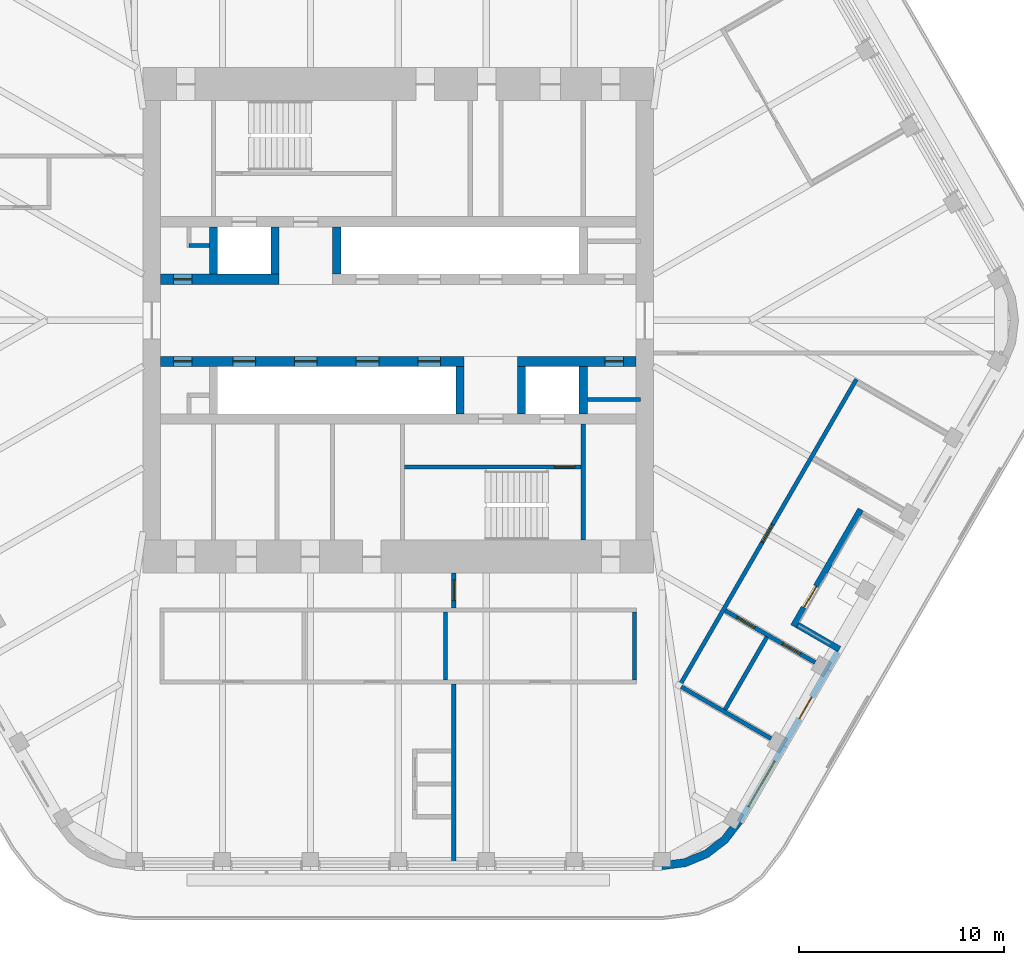
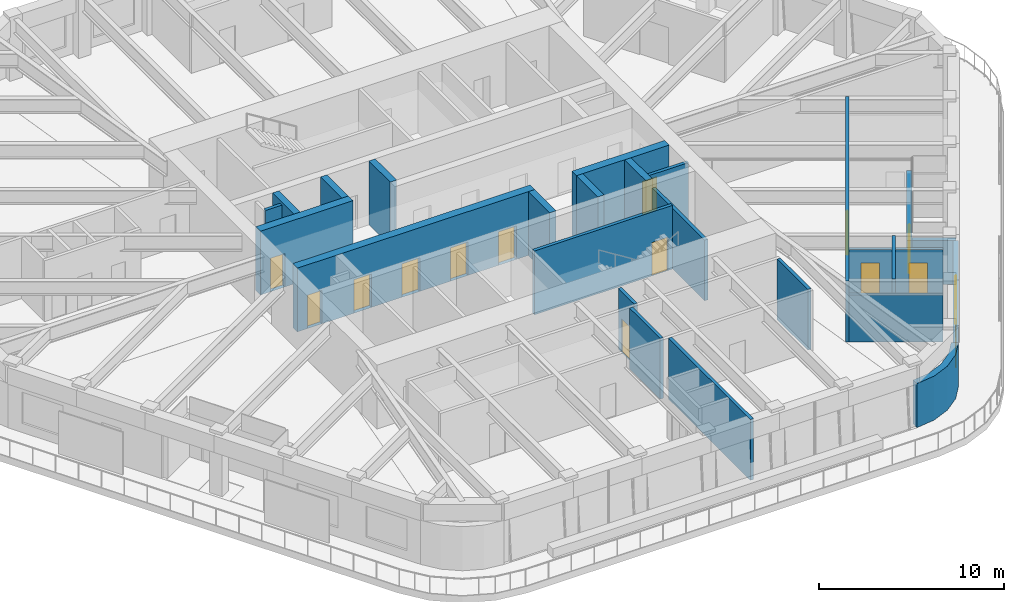
# One storey, part 14 of 20: 25 walls, 14 doors, 1 window, 15 openings.
"""IFC4 building model written with IfcOpenShell, lengths in metres."""

from ifc_helpers import new_model, si_unit, direction, frame, frame_2d, origin, place, context, subcontext, project, spatial, polyline, rectangle, outline, extrude, material, layer, layer_set, type_object, element, fill, save


model = new_model("IFC4")

# Units and contexts
model_context = context("Model", 3, precision=1e-05, world=origin(), true_north=direction((0.0, 1.0)))
body_context = subcontext(model_context, "Body", "Model", "MODEL_VIEW")
ifc_project = project(units=[si_unit("LENGTHUNIT", "METRE"), si_unit("AREAUNIT", "SQUARE_METRE"), si_unit("VOLUMEUNIT", "CUBIC_METRE"), si_unit("PLANEANGLEUNIT", "RADIAN"), si_unit("MASSUNIT", "GRAM", prefix="KILO")], contexts=[model_context])

# Site, building, storey
site_placement = place(None, origin())
site = spatial("IfcSite", under=ifc_project, at=site_placement, CompositionType="ELEMENT")
building_placement = place(site_placement, origin())
building = spatial("IfcBuilding", under=site, at=building_placement, Name="Tarfa Lantern Tower", CompositionType="ELEMENT")
storey_placement = place(building_placement, frame((0.0, 0.0, 378.699951171875)))
storey = spatial("IfcBuildingStorey", under=building, at=storey_placement, Name="L86", CompositionType="ELEMENT", Elevation=378.699951171875)

# Wall, openings, door, window
ifc_material_1 = material(Name="Limestone cladding on blockwork", Category="masonry")
ifc_layer_1 = layer(ifc_material_1, 0.300048828125)
ifc_layer_set_1 = layer_set([ifc_layer_1], Name="EW1 STONE-CLAD WALL 300")
wall_type_1 = type_object("IfcWallType", Name="EW1 STONE-CLAD WALL 300", PredefinedType="SOLIDWALL", material=ifc_layer_set_1)
wall_1_placement = place(storey_placement, frame((16.61328125, -24.425048828125, 0.0), z_axis=(0.0, 0.0, 1.0), x_axis=(0.499996453679, 0.866027451244, 0.0)))
wall_1 = element("IfcWall", 1, at=wall_1_placement, inside=storey, type_object=wall_type_1, Name="Stone wall SE", PredefinedType="SOLIDWALL", context=body_context, shape_type="SweptSolid", body=[
    extrude(rectangle(XDim=9.56396484375, YDim=0.300048828125, at=frame_2d((4.781982421875, 0.0))), origin(), (0.0, 0.0, 1.0), 2.900146484375),
])
opening_1_placement = place(wall_1_placement, frame((0.865966796875, 0.0, 0.60009765625)))
opening_1 = element("IfcOpeningElement", 2, at=opening_1_placement, cuts=wall_1, Name="Opening W17", PredefinedType="OPENING", context=body_context, shape_type="SweptSolid", body=[
    extrude(rectangle(XDim=2.550048828125, YDim=2.050048828125, at=frame_2d((1.27490234375, 1.02490234375))), frame((0.0, 0.159912109375, 0.0), z_axis=(0.0, -1.0, 0.0), x_axis=(1.0, 0.0, 0.0)), (0.0, 0.0, 1.0), 0.320068359375),
])
opening_2_placement = place(wall_1_placement, frame((5.822998046875, 0.0, 0.0)))
opening_2 = element("IfcOpeningElement", 3, at=opening_2_placement, cuts=wall_1, Name="Opening D41", PredefinedType="OPENING", context=body_context, shape_type="SweptSolid", body=[
    extrude(rectangle(XDim=1.199951171875, YDim=2.39990234375, at=frame_2d((0.60009765625, 1.199951171875))), frame((0.0, 0.159912109375, 0.0), z_axis=(0.0, -1.0, 0.0), x_axis=(1.0, 0.0, 0.0)), (0.0, 0.0, 1.0), 0.320068359375),
])
ifc_material_2 = material(Name="Aluminium framed glazed door", Category="aluminium")
door_type_1 = type_object("IfcDoorType", Name="BE3 BALCONY DOOR 1200x2400", OperationType="SINGLE_SWING_RIGHT", PredefinedType="DOOR", material=ifc_material_2)
door_1_placement = place(opening_2_placement, origin())
door_1 = element("IfcDoor", 4, at=door_1_placement, inside=storey, type_object=door_type_1, Name="Balcony door SE", OperationType="SINGLE_SWING_LEFT", OverallHeight=2.39990234375, OverallWidth=1.199951171875, PredefinedType="DOOR", context=body_context, shape_type="SweptSolid", body=[
    extrude(rectangle(XDim=1.199951171875, YDim=2.39990234375, at=frame_2d((0.60009765625, 1.199951171875))), frame((0.0, 0.02490234375, 0.0), z_axis=(0.0, -1.0, 0.0), x_axis=(1.0, 0.0, 0.0)), (0.0, 0.0, 1.0), 0.050048828125),
])
fill(opening_2, door_1)
ifc_material_3 = material(Name="Aluminium frame, double glazed", Category="aluminium")
window_type = type_object("IfcWindowType", Name="W17 FULL-HEIGHT GLAZING 2550x2050", PartitioningType="SINGLE_PANEL", PredefinedType="WINDOW", material=ifc_material_3)
window_placement = place(opening_1_placement, origin())
window = element("IfcWindow", 5, at=window_placement, inside=storey, type_object=window_type, Name="Window SE 1", OverallHeight=2.050048828125, OverallWidth=2.550048828125, PartitioningType="SINGLE_PANEL", PredefinedType="WINDOW", context=body_context, shape_type="SweptSolid", body=[
    extrude(rectangle(XDim=2.550048828125, YDim=2.050048828125, at=frame_2d((1.27490234375, 1.02490234375))), frame((0.0, 0.030029296875, 0.0), z_axis=(0.0, -1.0, 0.0), x_axis=(1.0, 0.0, 0.0)), (0.0, 0.0, 1.0), 0.06005859375),
])
fill(opening_1, window)

# Wall
wall_2_placement = place(storey_placement, frame((21.47021484375, -16.012451171875, 0.0), z_axis=(0.0, 0.0, 1.0), x_axis=(-0.866016039709, 0.500016218704, 0.0)))
element("IfcWall", 6, at=wall_2_placement, inside=storey, type_object=wall_type_1, Name="Terrace return SE 1", PredefinedType="SOLIDWALL", context=body_context, shape_type="SweptSolid", body=[
    extrude(rectangle(XDim=2.35009765625, YDim=0.300048828125, at=frame_2d((1.175048828125, 0.0))), origin(), (0.0, 0.0, 1.0), 2.900146484375),
])

# Wall, opening, door
wall_3_placement = place(storey_placement, frame((19.230224609375, -14.892333984375, 0.0), z_axis=(0.0, 0.0, 1.0), x_axis=(0.499999339774, 0.866025784966, 0.0)))
wall_3 = element("IfcWall", 7, at=wall_3_placement, inside=storey, type_object=wall_type_1, Name="Stone wall SES", PredefinedType="SOLIDWALL", context=body_context, shape_type="SweptSolid", body=[
    extrude(rectangle(XDim=6.56396484375, YDim=0.300048828125, at=frame_2d((3.281982421875, 0.0))), origin(), (0.0, 0.0, 1.0), 2.900146484375),
])
opening_3_placement = place(wall_3_placement, frame((1.041015625, 0.0, 0.0)))
opening_3 = element("IfcOpeningElement", 8, at=opening_3_placement, cuts=wall_3, Name="Opening D42", PredefinedType="OPENING", context=body_context, shape_type="SweptSolid", body=[
    extrude(rectangle(XDim=1.199951171875, YDim=2.39990234375, at=frame_2d((0.60009765625, 1.199951171875))), frame((0.0, 0.159912109375, 0.0), z_axis=(0.0, -1.0, 0.0), x_axis=(1.0, 0.0, 0.0)), (0.0, 0.0, 1.0), 0.320068359375),
])
door_2_placement = place(opening_3_placement, origin())
door_2 = element("IfcDoor", 9, at=door_2_placement, inside=storey, type_object=door_type_1, Name="Balcony door SES", OperationType="SINGLE_SWING_RIGHT", OverallHeight=2.39990234375, OverallWidth=1.199951171875, PredefinedType="DOOR", context=body_context, shape_type="SweptSolid", body=[
    extrude(rectangle(XDim=1.199951171875, YDim=2.39990234375, at=frame_2d((0.60009765625, 1.199951171875))), frame((0.0, 0.02490234375, 0.0), z_axis=(0.0, -1.0, 0.0), x_axis=(1.0, 0.0, 0.0)), (0.0, 0.0, 1.0), 0.050048828125),
])
fill(opening_3, door_2)

# Walls
ifc_layer_2 = layer(ifc_material_1, 0.39990234375)
ifc_layer_set_2 = layer_set([ifc_layer_2], Name="EW2 CURVED STONE CORNER 400")
wall_type_2 = type_object("IfcWallType", Name="EW2 CURVED STONE CORNER 400", PredefinedType="SOLIDWALL", material=ifc_layer_set_2)
wall_4_placement = place(storey_placement, origin())
element("IfcWall", 10, at=wall_4_placement, inside=storey, type_object=wall_type_2, Name="Stone corner S-SE", PredefinedType="SOLIDWALL", context=body_context, shape_type="SweptSolid", body=[
    extrude(outline(polyline([(12.845947265625, -26.75), (14.0107421875, -26.5966796875), (15.095947265625, -26.147216796875), (16.028076171875, -25.431884765625), (16.7431640625, -24.5), (16.396728515625, -24.300048828125), (15.7451171875, -25.149169921875), (14.89599609375, -25.80078125), (13.9072265625, -26.210205078125), (12.845947265625, -26.35009765625), (12.845947265625, -26.75)])), origin(), (0.0, 0.0, 1.0), 2.900146484375),
])
ifc_material_4 = material(Name="Concrete blockwork", Category="masonry")
ifc_layer_3 = layer(ifc_material_4, 0.199951171875)
ifc_layer_set_3 = layer_set([ifc_layer_3], Name="IW1 BLOCKWORK PARTITION 200 EI 120")
wall_type_3 = type_object("IfcWallType", Name="IW1 BLOCKWORK PARTITION 200 EI 120", PredefinedType="PARTITIONING", material=ifc_layer_set_3)
wall_5_placement = place(storey_placement, frame((9.0, -5.050048828125, 0.0), z_axis=(0.0, 0.0, 1.0), x_axis=(0.0, -1.0, 0.0)))
element("IfcWall", 11, at=wall_5_placement, inside=storey, type_object=wall_type_3, Name="Core partition", PredefinedType="PARTITIONING", context=body_context, shape_type="SweptSolid", body=[
    extrude(rectangle(XDim=5.64990234375, YDim=0.199951171875, at=frame_2d((2.824951171875, 0.0))), origin(), (0.0, 0.0, 1.0), 4.0),
])
wall_6_placement = place(storey_placement, frame((-10.199951171875, 3.64990234375, 0.0), z_axis=(0.0, 0.0, 1.0), x_axis=(1.0, 0.0, 0.0)))
element("IfcWall", 12, at=wall_6_placement, inside=storey, type_object=wall_type_3, Name="Core partition", PredefinedType="PARTITIONING", context=body_context, shape_type="SweptSolid", body=[
    extrude(rectangle(XDim=1.0, YDim=0.199951171875, at=frame_2d((0.5, 0.0))), origin(), (0.0, 0.0, 1.0), 4.0),
])
wall_7_placement = place(storey_placement, frame((11.800048828125, -3.85009765625, 0.0), z_axis=(0.0, 0.0, 1.0), x_axis=(-1.0, 0.0, 0.0)))
element("IfcWall", 13, at=wall_7_placement, inside=storey, type_object=wall_type_3, Name="Core partition", PredefinedType="PARTITIONING", context=body_context, shape_type="SweptSolid", body=[
    extrude(rectangle(XDim=2.60009765625, YDim=0.199951171875, at=frame_2d((1.300048828125, 0.0))), origin(), (0.0, 0.0, 1.0), 4.0),
])
ifc_material_5 = material(Name="Gypsum board on steel studs", Category="steel")
ifc_layer_4 = layer(ifc_material_5, 0.2099609375)
ifc_layer_set_4 = layer_set([ifc_layer_4], Name="IW2 ACOUSTIC PARTITION 200")
wall_type_4 = type_object("IfcWallType", Name="IW2 ACOUSTIC PARTITION 200", PredefinedType="PARTITIONING", material=ifc_layer_set_4)
for number, where, z_axis, x_axis, name in (
    (14, (11.5, -14.199951171875, 0.0), (0.0, 0.0, 1.0), (0.0, -1.0, 0.0), "Partition"),
    (15, (2.300048828125, -14.199951171875, 0.0), (0.0, 0.0, 1.0), (0.0, -1.0, 0.0), "Partition"),
):
    element("IfcWall", number, at=place(storey_placement, frame(where, z_axis=z_axis, x_axis=x_axis)), inside=storey, type_object=wall_type_4, Name=name, PredefinedType="PARTITIONING", context=body_context, shape_type="SweptSolid", body=[
        extrude(rectangle(XDim=3.300048828125, YDim=0.199951171875, at=frame_2d((1.64990234375, 0.0))), origin(), (0.0, 0.0, 1.0), 4.0),
    ])

# Wall, opening, door
wall_8_placement = place(storey_placement, frame((13.637939453125, -17.878173828125, 0.0), z_axis=(0.0, 0.0, 1.0), x_axis=(0.500006217173, 0.866021814268, 0.0)))
wall_8 = element("IfcWall", 16, at=wall_8_placement, inside=storey, type_object=wall_type_4, Name="Partition", PredefinedType="PARTITIONING", context=body_context, shape_type="SweptSolid", body=[
    extrude(rectangle(XDim=17.327880859375, YDim=0.199951171875, at=frame_2d((8.6640625, 0.0))), origin(), (0.0, 0.0, 1.0), 4.0),
])
opening_4_placement = place(wall_8_placement, frame((8.1640625, 0.0, 0.0)))
opening_4 = element("IfcOpeningElement", 17, at=opening_4_placement, cuts=wall_8, Name="Opening D24", PredefinedType="OPENING", context=body_context, shape_type="SweptSolid", body=[
    extrude(rectangle(XDim=1.0, YDim=2.199951171875, at=frame_2d((0.5, 1.10009765625))), frame((0.0, 0.10986328125, 0.0), z_axis=(0.0, -1.0, 0.0), x_axis=(1.0, 0.0, 0.0)), (0.0, 0.0, 1.0), 0.219970703125),
])
ifc_material_6 = material(Name="Timber door", Category="wood")
door_type_2 = type_object("IfcDoorType", Name="DR1 ROOM DOOR 1000x2200", OperationType="SINGLE_SWING_LEFT", PredefinedType="DOOR", material=ifc_material_6)
door_3_placement = place(opening_4_placement, frame((1.0, 0.0, 0.0), z_axis=(0.0, 0.0, 1.0), x_axis=(-1.0, 0.0, 0.0)))
door_3 = element("IfcDoor", 18, at=door_3_placement, inside=storey, type_object=door_type_2, Name="PA area door", OperationType="SINGLE_SWING_RIGHT", OverallHeight=2.199951171875, OverallWidth=1.0, PredefinedType="DOOR", context=body_context, shape_type="SweptSolid", body=[
    extrude(rectangle(XDim=1.0, YDim=2.199951171875, at=frame_2d((0.5, 1.10009765625))), frame((0.0, 0.02490234375, 0.0), z_axis=(0.0, -1.0, 0.0), x_axis=(1.0, 0.0, 0.0)), (0.0, 0.0, 1.0), 0.050048828125),
])
fill(opening_4, door_3)

# Wall
wall_9_placement = place(storey_placement, frame((13.774658203125, -17.841552734375, 0.0), z_axis=(0.0, 0.0, 1.0), x_axis=(0.866006046928, -0.500033525561, 0.0)))
element("IfcWall", 19, at=wall_9_placement, inside=storey, type_object=wall_type_4, Name="Partition", PredefinedType="PARTITIONING", context=body_context, shape_type="SweptSolid", body=[
    extrude(rectangle(XDim=5.050048828125, YDim=0.199951171875, at=frame_2d((2.52490234375, 0.0))), origin(), (0.0, 0.0, 1.0), 3.08154296875),
])

# Wall, openings, doors
wall_10_placement = place(storey_placement, frame((15.91552734375, -14.13330078125, 0.0), z_axis=(0.0, 0.0, 1.0), x_axis=(0.866018134068, -0.500012591307, 0.0)))
wall_10 = element("IfcWall", 20, at=wall_10_placement, inside=storey, type_object=wall_type_4, Name="Partition", PredefinedType="PARTITIONING", context=body_context, shape_type="SweptSolid", body=[
    extrude(rectangle(XDim=5.050048828125, YDim=0.199951171875, at=frame_2d((2.52490234375, 0.0))), origin(), (0.0, 0.0, 1.0), 3.08154296875),
])
opening_5_placement = place(wall_10_placement, frame((0.64990234375, 0.0, 0.0)))
opening_5 = element("IfcOpeningElement", 21, at=opening_5_placement, cuts=wall_10, Name="Opening D26", PredefinedType="OPENING", context=body_context, shape_type="SweptSolid", body=[
    extrude(rectangle(XDim=1.0, YDim=2.199951171875, at=frame_2d((0.5, 1.10009765625))), frame((0.0, 0.10986328125, 0.0), z_axis=(0.0, -1.0, 0.0), x_axis=(1.0, 0.0, 0.0)), (0.0, 0.0, 1.0), 0.219970703125),
])
opening_6_placement = place(wall_10_placement, frame((3.22509765625, 0.0, 0.0)))
opening_6 = element("IfcOpeningElement", 22, at=opening_6_placement, cuts=wall_10, Name="Opening D27", PredefinedType="OPENING", context=body_context, shape_type="SweptSolid", body=[
    extrude(rectangle(XDim=1.0, YDim=2.199951171875, at=frame_2d((0.5, 1.10009765625))), frame((0.0, 0.10986328125, 0.0), z_axis=(0.0, -1.0, 0.0), x_axis=(1.0, 0.0, 0.0)), (0.0, 0.0, 1.0), 0.219970703125),
])
door_4_placement = place(opening_5_placement, frame((1.0, 0.0, 0.0), z_axis=(0.0, 0.0, 1.0), x_axis=(-1.0, 0.0, 0.0)))
door_4 = element("IfcDoor", 23, at=door_4_placement, inside=storey, type_object=door_type_2, Name="Meeting room door", OperationType="SINGLE_SWING_LEFT", OverallHeight=2.199951171875, OverallWidth=1.0, PredefinedType="DOOR", context=body_context, shape_type="SweptSolid", body=[
    extrude(rectangle(XDim=1.0, YDim=2.199951171875, at=frame_2d((0.5, 1.10009765625))), frame((0.0, 0.02490234375, 0.0), z_axis=(0.0, -1.0, 0.0), x_axis=(1.0, 0.0, 0.0)), (0.0, 0.0, 1.0), 0.050048828125),
])
fill(opening_5, door_4)
door_5_placement = place(opening_6_placement, frame((1.0, 0.0, 0.0), z_axis=(0.0, 0.0, 1.0), x_axis=(-1.0, 0.0, 0.0)))
door_5 = element("IfcDoor", 24, at=door_5_placement, inside=storey, type_object=door_type_2, Name="Private lounge door", OperationType="SINGLE_SWING_LEFT", OverallHeight=2.199951171875, OverallWidth=1.0, PredefinedType="DOOR", context=body_context, shape_type="SweptSolid", body=[
    extrude(rectangle(XDim=1.0, YDim=2.199951171875, at=frame_2d((0.5, 1.10009765625))), frame((0.0, 0.02490234375, 0.0), z_axis=(0.0, -1.0, 0.0), x_axis=(1.0, 0.0, 0.0)), (0.0, 0.0, 1.0), 0.050048828125),
])
fill(opening_6, door_5)

# Wall
wall_11_placement = place(storey_placement, frame((15.903076171875, -18.955078125, 0.0), z_axis=(0.0, 0.0, 1.0), x_axis=(0.499998569178, 0.866026229868, 0.0)))
element("IfcWall", 25, at=wall_11_placement, inside=storey, type_object=wall_type_4, Name="Partition", PredefinedType="PARTITIONING", context=body_context, shape_type="SweptSolid", body=[
    extrude(rectangle(XDim=4.08203125, YDim=0.199951171875, at=frame_2d((2.041015625, 0.0))), origin(), (0.0, 0.0, 1.0), 4.0),
])

# Wall, opening, door
wall_12_placement = place(storey_placement, frame((2.699951171875, -12.300048828125, 0.0), z_axis=(0.0, 0.0, 1.0), x_axis=(0.0, -1.0, 0.0)))
wall_12 = element("IfcWall", 26, at=wall_12_placement, inside=storey, type_object=wall_type_4, Name="Partition", PredefinedType="PARTITIONING", context=body_context, shape_type="SweptSolid", body=[
    extrude(rectangle(XDim=1.699951171875, YDim=0.199951171875, at=frame_2d((0.85009765625, 0.0))), origin(), (0.0, 0.0, 1.0), 4.0),
])
opening_7_placement = place(wall_12_placement, frame((0.35009765625, 0.0, 0.0)))
opening_7 = element("IfcOpeningElement", 27, at=opening_7_placement, cuts=wall_12, Name="Opening D37", PredefinedType="OPENING", context=body_context, shape_type="SweptSolid", body=[
    extrude(rectangle(XDim=1.0, YDim=2.199951171875, at=frame_2d((0.5, 1.10009765625))), frame((0.0, 0.10986328125, 0.0), z_axis=(0.0, -1.0, 0.0), x_axis=(1.0, 0.0, 0.0)), (0.0, 0.0, 1.0), 0.219970703125),
])
door_6_placement = place(opening_7_placement, origin())
door_6 = element("IfcDoor", 28, at=door_6_placement, inside=storey, type_object=door_type_2, Name="Zone door", OperationType="SINGLE_SWING_LEFT", OverallHeight=2.199951171875, OverallWidth=1.0, PredefinedType="DOOR", context=body_context, shape_type="SweptSolid", body=[
    extrude(rectangle(XDim=1.0, YDim=2.199951171875, at=frame_2d((0.5, 1.10009765625))), frame((0.0, 0.02490234375, 0.0), z_axis=(0.0, -1.0, 0.0), x_axis=(1.0, 0.0, 0.0)), (0.0, 0.0, 1.0), 0.050048828125),
])
fill(opening_7, door_6)

# Wall
wall_13_placement = place(storey_placement, frame((2.699951171875, -17.699951171875, 0.0), z_axis=(0.0, 0.0, 1.0), x_axis=(0.0, -1.0, 0.0)))
element("IfcWall", 29, at=wall_13_placement, inside=storey, type_object=wall_type_4, Name="Partition", PredefinedType="PARTITIONING", context=body_context, shape_type="SweptSolid", body=[
    extrude(rectangle(XDim=8.85009765625, YDim=0.199951171875, at=frame_2d((4.425048828125, 0.0))), origin(), (0.0, 0.0, 1.0), 4.0),
])

# Wall, opening, door
ifc_material_7 = material(Name="Concrete C80/95", Category="concrete")
ifc_layer_5 = layer(ifc_material_7, 0.199951171875)
ifc_layer_set_5 = layer_set([ifc_layer_5], Name="SW12 CORE WALL 200")
wall_type_5 = type_object("IfcWallType", Name="SW12 CORE WALL 200", PredefinedType="SHEAR", material=ifc_layer_set_5)
wall_14_placement = place(storey_placement, frame((8.89990234375, -7.14990234375, 0.0), z_axis=(0.0, 0.0, 1.0), x_axis=(-1.0, 0.0, 0.0)))
wall_14 = element("IfcWall", 30, at=wall_14_placement, inside=storey, type_object=wall_type_5, Name="Core wall stair partition S", PredefinedType="SHEAR", context=body_context, shape_type="SweptSolid", body=[
    extrude(rectangle(XDim=8.599853515625, YDim=0.199951171875, at=frame_2d((4.2998046875, 0.0))), origin(), (0.0, 0.0, 1.0), 4.199951171875),
])
opening_8_placement = place(wall_14_placement, frame((0.300048828125, 0.0, 0.0)))
opening_8 = element("IfcOpeningElement", 31, at=opening_8_placement, cuts=wall_14, Name="Opening D20", PredefinedType="OPENING", context=body_context, shape_type="SweptSolid", body=[
    extrude(rectangle(XDim=1.0, YDim=2.199951171875, at=frame_2d((0.5, 1.10009765625))), frame((0.0, 0.10986328125, 0.0), z_axis=(0.0, -1.0, 0.0), x_axis=(1.0, 0.0, 0.0)), (0.0, 0.0, 1.0), 0.219970703125),
])
ifc_material_8 = material(Name="Steel fire door", Category="steel")
door_type_3 = type_object("IfcDoorType", Name="DF2 STAIR DOOR 1000x2200", OperationType="SINGLE_SWING_LEFT", PredefinedType="DOOR", material=ifc_material_8)
door_7_placement = place(opening_8_placement, origin())
door_7 = element("IfcDoor", 32, at=door_7_placement, inside=storey, type_object=door_type_3, Name="Stair door", OperationType="SINGLE_SWING_RIGHT", OverallHeight=2.199951171875, OverallWidth=1.0, PredefinedType="DOOR", context=body_context, shape_type="SweptSolid", body=[
    extrude(rectangle(XDim=1.0, YDim=2.199951171875, at=frame_2d((0.5, 1.10009765625))), frame((0.0, 0.02490234375, 0.0), z_axis=(0.0, -1.0, 0.0), x_axis=(1.0, 0.0, 0.0)), (0.0, 0.0, 1.0), 0.050048828125),
])
fill(opening_8, door_7)

ifc_layer_6 = layer(ifc_material_7, 0.5)
ifc_layer_set_6 = layer_set([ifc_layer_6], Name="SW5 CORE WALL 500")
wall_type_6 = type_object("IfcWallType", Name="SW5 CORE WALL 500", PredefinedType="SHEAR", material=ifc_layer_set_6)
wall_15_placement = place(storey_placement, frame((-11.574951171875, 2.0, 0.0), z_axis=(0.0, 0.0, 1.0), x_axis=(1.0, 0.0, 0.0)))
wall_15 = element("IfcWall", 33, at=wall_15_placement, inside=storey, type_object=wall_type_6, Name="Core wall lobby west N", PredefinedType="SHEAR", context=body_context, shape_type="SweptSolid", body=[
    extrude(rectangle(XDim=5.77490234375, YDim=0.5, at=frame_2d((2.887451171875, 0.0))), origin(), (0.0, 0.0, 1.0), 4.199951171875),
])
opening_9_placement = place(wall_15_placement, frame((0.625, 0.0, 0.0)))
opening_9 = element("IfcOpeningElement", 34, at=opening_9_placement, cuts=wall_15, Name="Opening D11", PredefinedType="OPENING", context=body_context, shape_type="SweptSolid", body=[
    extrude(rectangle(XDim=0.89990234375, YDim=2.199951171875, at=frame_2d((0.449951171875, 1.10009765625))), frame((0.0, 0.260009765625, 0.0), z_axis=(0.0, -1.0, 0.0), x_axis=(1.0, 0.0, 0.0)), (0.0, 0.0, 1.0), 0.52001953125),
])
door_type_4 = type_object("IfcDoorType", Name="DF6 SERVICE ROOM DOOR 900x2200", OperationType="SINGLE_SWING_LEFT", PredefinedType="DOOR", material=ifc_material_8)
door_8_placement = place(opening_9_placement, origin())
door_8 = element("IfcDoor", 35, at=door_8_placement, inside=storey, type_object=door_type_4, Name="Service room door", OperationType="SINGLE_SWING_RIGHT", OverallHeight=2.199951171875, OverallWidth=0.89990234375, PredefinedType="DOOR", context=body_context, shape_type="SweptSolid", body=[
    extrude(rectangle(XDim=0.89990234375, YDim=2.199951171875, at=frame_2d((0.449951171875, 1.10009765625))), frame((0.0, 0.02490234375, 0.0), z_axis=(0.0, -1.0, 0.0), x_axis=(1.0, 0.0, 0.0)), (0.0, 0.0, 1.0), 0.050048828125),
])
fill(opening_9, door_8)

wall_16_placement = place(storey_placement, frame((11.574951171875, -2.0, 0.0), z_axis=(0.0, 0.0, 1.0), x_axis=(-1.0, 0.0, 0.0)))
wall_16 = element("IfcWall", 36, at=wall_16_placement, inside=storey, type_object=wall_type_6, Name="Core wall lobby west S", PredefinedType="SHEAR", context=body_context, shape_type="SweptSolid", body=[
    extrude(rectangle(XDim=5.77490234375, YDim=0.5, at=frame_2d((2.887451171875, 0.0))), origin(), (0.0, 0.0, 1.0), 4.199951171875),
])
opening_10_placement = place(wall_16_placement, frame((0.625, 0.0, 0.0)))
opening_10 = element("IfcOpeningElement", 37, at=opening_10_placement, cuts=wall_16, Name="Opening D12", PredefinedType="OPENING", context=body_context, shape_type="SweptSolid", body=[
    extrude(rectangle(XDim=0.89990234375, YDim=2.199951171875, at=frame_2d((0.449951171875, 1.10009765625))), frame((0.0, 0.260009765625, 0.0), z_axis=(0.0, -1.0, 0.0), x_axis=(1.0, 0.0, 0.0)), (0.0, 0.0, 1.0), 0.52001953125),
])
door_9_placement = place(opening_10_placement, origin())
door_9 = element("IfcDoor", 38, at=door_9_placement, inside=storey, type_object=door_type_4, Name="Service room door", OperationType="SINGLE_SWING_RIGHT", OverallHeight=2.199951171875, OverallWidth=0.89990234375, PredefinedType="DOOR", context=body_context, shape_type="SweptSolid", body=[
    extrude(rectangle(XDim=0.89990234375, YDim=2.199951171875, at=frame_2d((0.449951171875, 1.10009765625))), frame((0.0, 0.02490234375, 0.0), z_axis=(0.0, -1.0, 0.0), x_axis=(1.0, 0.0, 0.0)), (0.0, 0.0, 1.0), 0.050048828125),
])
fill(opening_10, door_9)

# Wall, openings, doors
wall_17_placement = place(storey_placement, frame((3.199951171875, -2.0, 0.0), z_axis=(0.0, 0.0, 1.0), x_axis=(-1.0, 0.0, 0.0)))
wall_17 = element("IfcWall", 39, at=wall_17_placement, inside=storey, type_object=wall_type_6, Name="Core wall lobby east S", PredefinedType="SHEAR", context=body_context, shape_type="SweptSolid", body=[
    extrude(rectangle(XDim=14.77490234375, YDim=0.5, at=frame_2d((7.387451171875, 0.0))), origin(), (0.0, 0.0, 1.0), 4.199951171875),
])
opening_11_placement = place(wall_17_placement, frame((13.25, 0.0, 0.0)))
opening_11 = element("IfcOpeningElement", 40, at=opening_11_placement, cuts=wall_17, Name="Opening D10", PredefinedType="OPENING", context=body_context, shape_type="SweptSolid", body=[
    extrude(rectangle(XDim=0.89990234375, YDim=2.199951171875, at=frame_2d((0.449951171875, 1.10009765625))), frame((0.0, 0.260009765625, 0.0), z_axis=(0.0, -1.0, 0.0), x_axis=(1.0, 0.0, 0.0)), (0.0, 0.0, 1.0), 0.52001953125),
])
opening_12_placement = place(wall_17_placement, frame((1.14990234375, 0.0, 0.0)))
opening_12 = element("IfcOpeningElement", 41, at=opening_12_placement, cuts=wall_17, Name="Opening LD07", PredefinedType="OPENING", context=body_context, shape_type="SweptSolid", body=[
    extrude(rectangle(XDim=1.10009765625, YDim=2.199951171875, at=frame_2d((0.550048828125, 1.10009765625))), frame((0.0, 0.260009765625, 0.0), z_axis=(0.0, -1.0, 0.0), x_axis=(1.0, 0.0, 0.0)), (0.0, 0.0, 1.0), 0.52001953125),
])
opening_13_placement = place(wall_17_placement, frame((4.14990234375, 0.0, 0.0)))
opening_13 = element("IfcOpeningElement", 42, at=opening_13_placement, cuts=wall_17, Name="Opening LD08", PredefinedType="OPENING", context=body_context, shape_type="SweptSolid", body=[
    extrude(rectangle(XDim=1.10009765625, YDim=2.199951171875, at=frame_2d((0.550048828125, 1.10009765625))), frame((0.0, 0.260009765625, 0.0), z_axis=(0.0, -1.0, 0.0), x_axis=(1.0, 0.0, 0.0)), (0.0, 0.0, 1.0), 0.52001953125),
])
opening_14_placement = place(wall_17_placement, frame((7.14990234375, 0.0, 0.0)))
opening_14 = element("IfcOpeningElement", 43, at=opening_14_placement, cuts=wall_17, Name="Opening LD09", PredefinedType="OPENING", context=body_context, shape_type="SweptSolid", body=[
    extrude(rectangle(XDim=1.10009765625, YDim=2.199951171875, at=frame_2d((0.550048828125, 1.10009765625))), frame((0.0, 0.260009765625, 0.0), z_axis=(0.0, -1.0, 0.0), x_axis=(1.0, 0.0, 0.0)), (0.0, 0.0, 1.0), 0.52001953125),
])
opening_15_placement = place(wall_17_placement, frame((10.14990234375, 0.0, 0.0)))
opening_15 = element("IfcOpeningElement", 44, at=opening_15_placement, cuts=wall_17, Name="Opening LD10", PredefinedType="OPENING", context=body_context, shape_type="SweptSolid", body=[
    extrude(rectangle(XDim=1.10009765625, YDim=2.199951171875, at=frame_2d((0.550048828125, 1.10009765625))), frame((0.0, 0.260009765625, 0.0), z_axis=(0.0, -1.0, 0.0), x_axis=(1.0, 0.0, 0.0)), (0.0, 0.0, 1.0), 0.52001953125),
])
door_10_placement = place(opening_11_placement, origin())
door_10 = element("IfcDoor", 45, at=door_10_placement, inside=storey, type_object=door_type_4, Name="Service room door", OperationType="SINGLE_SWING_LEFT", OverallHeight=2.199951171875, OverallWidth=0.89990234375, PredefinedType="DOOR", context=body_context, shape_type="SweptSolid", body=[
    extrude(rectangle(XDim=0.89990234375, YDim=2.199951171875, at=frame_2d((0.449951171875, 1.10009765625))), frame((0.0, 0.02490234375, 0.0), z_axis=(0.0, -1.0, 0.0), x_axis=(1.0, 0.0, 0.0)), (0.0, 0.0, 1.0), 0.050048828125),
])
fill(opening_11, door_10)
ifc_material_9 = material(Name="Stainless steel lift door", Category="steel")
door_type_5 = type_object("IfcDoorType", Name="LD2 LIFT LANDING DOOR 1100x2200", OperationType="SLIDING_TO_LEFT", PredefinedType="DOOR", material=ifc_material_9)
door_11_placement = place(opening_12_placement, frame((1.10009765625, 0.0, 0.0), z_axis=(0.0, 0.0, 1.0), x_axis=(-1.0, 0.0, 0.0)))
door_11 = element("IfcDoor", 46, at=door_11_placement, inside=storey, type_object=door_type_5, Name="Landing door PD5", OperationType="SLIDING_TO_LEFT", OverallHeight=2.199951171875, OverallWidth=1.10009765625, PredefinedType="DOOR", context=body_context, shape_type="SweptSolid", body=[
    extrude(rectangle(XDim=1.10009765625, YDim=2.199951171875, at=frame_2d((0.550048828125, 1.10009765625))), frame((0.0, 0.02490234375, 0.0), z_axis=(0.0, -1.0, 0.0), x_axis=(1.0, 0.0, 0.0)), (0.0, 0.0, 1.0), 0.050048828125),
])
fill(opening_12, door_11)
door_12_placement = place(opening_13_placement, frame((1.10009765625, 0.0, 0.0), z_axis=(0.0, 0.0, 1.0), x_axis=(-1.0, 0.0, 0.0)))
door_12 = element("IfcDoor", 47, at=door_12_placement, inside=storey, type_object=door_type_5, Name="Landing door PD6", OperationType="SLIDING_TO_LEFT", OverallHeight=2.199951171875, OverallWidth=1.10009765625, PredefinedType="DOOR", context=body_context, shape_type="SweptSolid", body=[
    extrude(rectangle(XDim=1.10009765625, YDim=2.199951171875, at=frame_2d((0.550048828125, 1.10009765625))), frame((0.0, 0.02490234375, 0.0), z_axis=(0.0, -1.0, 0.0), x_axis=(1.0, 0.0, 0.0)), (0.0, 0.0, 1.0), 0.050048828125),
])
fill(opening_13, door_12)
door_13_placement = place(opening_14_placement, frame((1.10009765625, 0.0, 0.0), z_axis=(0.0, 0.0, 1.0), x_axis=(-1.0, 0.0, 0.0)))
door_13 = element("IfcDoor", 48, at=door_13_placement, inside=storey, type_object=door_type_5, Name="Landing door PD7", OperationType="SLIDING_TO_LEFT", OverallHeight=2.199951171875, OverallWidth=1.10009765625, PredefinedType="DOOR", context=body_context, shape_type="SweptSolid", body=[
    extrude(rectangle(XDim=1.10009765625, YDim=2.199951171875, at=frame_2d((0.550048828125, 1.10009765625))), frame((0.0, 0.02490234375, 0.0), z_axis=(0.0, -1.0, 0.0), x_axis=(1.0, 0.0, 0.0)), (0.0, 0.0, 1.0), 0.050048828125),
])
fill(opening_14, door_13)
door_14_placement = place(opening_15_placement, frame((1.10009765625, 0.0, 0.0), z_axis=(0.0, 0.0, 1.0), x_axis=(-1.0, 0.0, 0.0)))
door_14 = element("IfcDoor", 49, at=door_14_placement, inside=storey, type_object=door_type_5, Name="Landing door PD8", OperationType="SLIDING_TO_LEFT", OverallHeight=2.199951171875, OverallWidth=1.10009765625, PredefinedType="DOOR", context=body_context, shape_type="SweptSolid", body=[
    extrude(rectangle(XDim=1.10009765625, YDim=2.199951171875, at=frame_2d((0.550048828125, 1.10009765625))), frame((0.0, 0.02490234375, 0.0), z_axis=(0.0, -1.0, 0.0), x_axis=(1.0, 0.0, 0.0)), (0.0, 0.0, 1.0), 0.050048828125),
])
fill(opening_15, door_14)

# Walls
ifc_layer_7 = layer(ifc_material_7, 0.39990234375)
ifc_layer_set_7 = layer_set([ifc_layer_7], Name="SW6 CORE WALL 400")
wall_type_7 = type_object("IfcWallType", Name="SW6 CORE WALL 400", PredefinedType="SHEAR", material=ifc_layer_set_7)
for number, where, z_axis, x_axis, name in (
    (50, (-9.0, 2.25, 0.0), (0.0, 0.0, 1.0), (0.0, 1.0, 0.0), "Core wall divider N"),
    (51, (-6.0, 2.25, 0.0), (0.0, 0.0, 1.0), (0.0, 1.0, 0.0), "Core wall divider N"),
    (52, (-3.0, 2.25, 0.0), (0.0, 0.0, 1.0), (0.0, 1.0, 0.0), "Core wall divider N"),
    (53, (9.0, -2.25, 0.0), (0.0, 0.0, 1.0), (0.0, -1.0, 0.0), "Core wall divider S"),
    (54, (6.0, -2.25, 0.0), (0.0, 0.0, 1.0), (0.0, -1.0, 0.0), "Core wall divider S"),
    (55, (3.0, -2.25, 0.0), (0.0, 0.0, 1.0), (0.0, -1.0, 0.0), "Core wall divider S"),
):
    element("IfcWall", number, at=place(storey_placement, frame(where, z_axis=z_axis, x_axis=x_axis)), inside=storey, type_object=wall_type_7, Name=name, PredefinedType="SHEAR", context=body_context, shape_type="SweptSolid", body=[
        extrude(rectangle(XDim=2.300048828125, YDim=0.39990234375, at=frame_2d((1.14990234375, 0.0))), origin(), (0.0, 0.0, 1.0), 4.199951171875),
    ])

save(model, "model.ifc")
